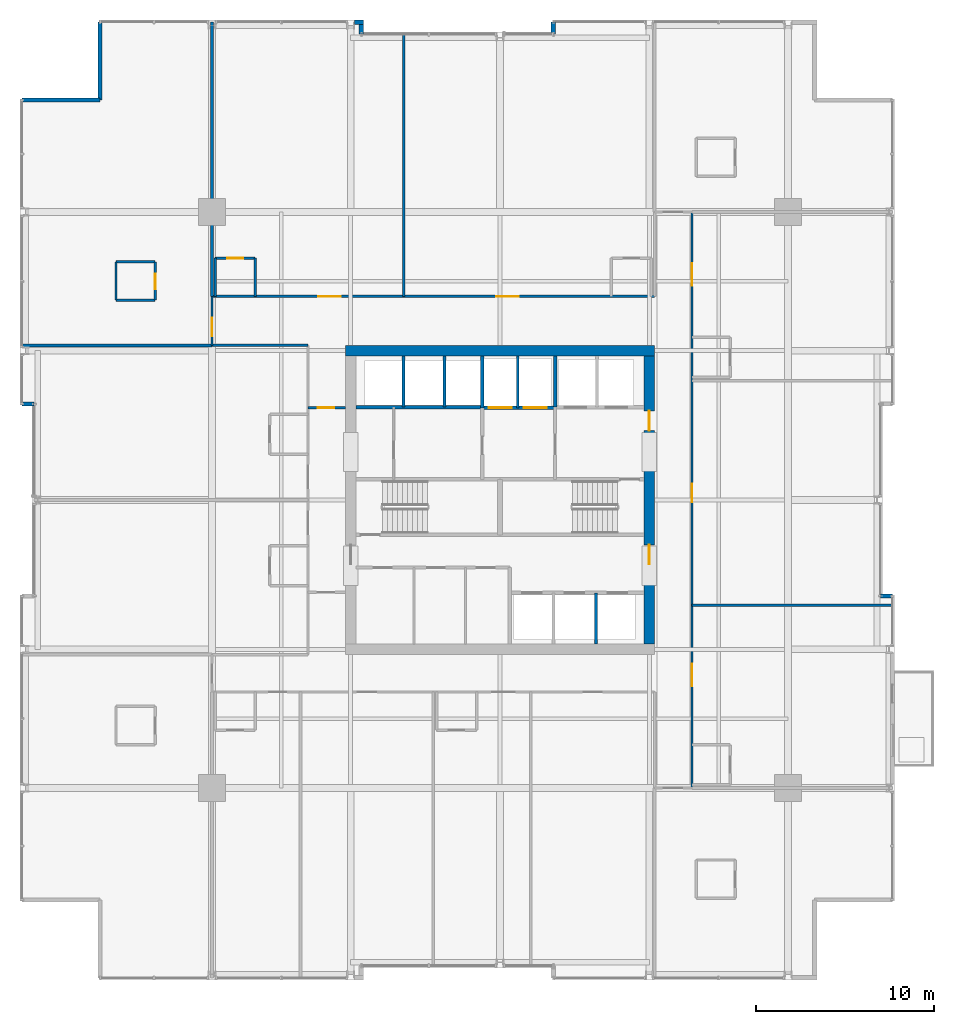
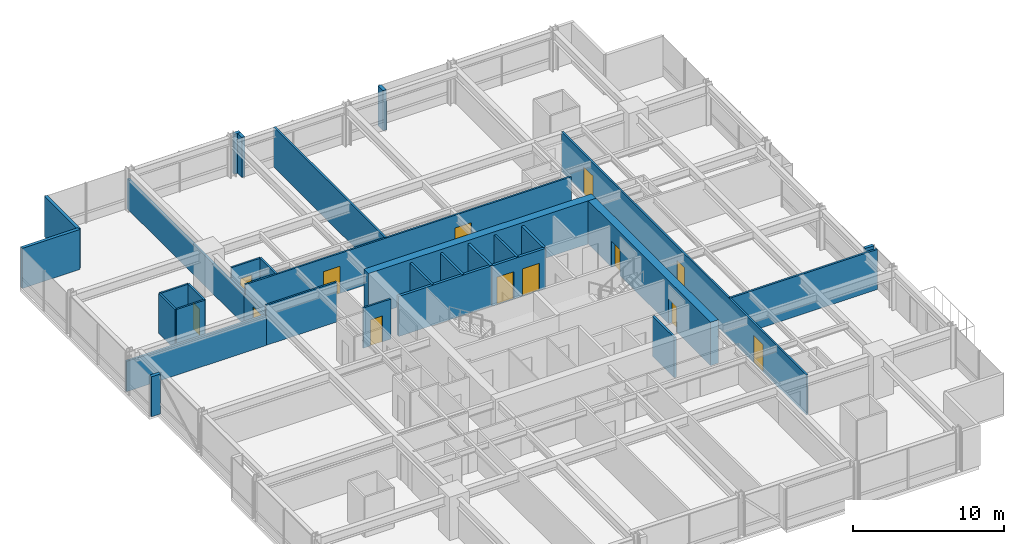
# One storey, part 30 of 34: 33 walls, 13 doors, 13 openings.
"""IFC4 building model written with IfcOpenShell, lengths in metres."""

from ifc_helpers import new_model, si_unit, direction, frame, frame_2d, origin, place, context, subcontext, project, spatial, rectangle, extrude, material, layer, layer_set, type_object, element, fill, save


model = new_model("IFC4")

# Units and contexts
model_context = context("Model", 3, precision=1e-05, world=origin(), true_north=direction((0.0, 1.0)))
body_context = subcontext(model_context, "Body", "Model", "MODEL_VIEW")
ifc_project = project(units=[si_unit("LENGTHUNIT", "METRE"), si_unit("AREAUNIT", "SQUARE_METRE"), si_unit("VOLUMEUNIT", "CUBIC_METRE"), si_unit("PLANEANGLEUNIT", "RADIAN"), si_unit("MASSUNIT", "GRAM", prefix="KILO")], contexts=[model_context])

# Site, building, storey
site_placement = place(None, origin())
site = spatial("IfcSite", under=ifc_project, at=site_placement, CompositionType="ELEMENT")
building_placement = place(site_placement, origin())
building = spatial("IfcBuilding", under=site, at=building_placement, Name="Drelvath Grand Hotel", CompositionType="ELEMENT")
storey_placement = place(building_placement, frame((0.0, 0.0, 116.300048828125)))
storey = spatial("IfcBuildingStorey", under=building, at=storey_placement, Name="L29", CompositionType="ELEMENT", Elevation=116.300048828125)

# Wall
ifc_material_1 = material(Name="Concrete C40/50", Category="concrete")
ifc_layer_1 = layer(ifc_material_1, 0.199951171875)
ifc_layer_set_1 = layer_set([ifc_layer_1], Name="Concrete C40/50")
wall_type_1 = type_object("IfcWallType", Name="Core Hoistway Fire Wall 200", PredefinedType="SOLIDWALL", material=ifc_layer_set_1)
wall_1_placement = place(storey_placement, frame((3.10009765625, 32.219970703125, 0.0), z_axis=(0.0, 0.0, 1.0), x_axis=(0.0, 1.0, 0.0)))
element("IfcWall", 1, at=wall_1_placement, inside=storey, type_object=wall_type_1, Name="L29 FSAE Hoistway West Wall", PredefinedType="SOLIDWALL", context=body_context, shape_type="SweptSolid", body=[
    extrude(rectangle(XDim=2.880126953125, YDim=0.199951171875, at=frame_2d((1.43994140625, 0.0))), origin(), (0.0, 0.0, 1.0), 3.239990234375),
])

# Wall, openings, doors
wall_2_placement = place(storey_placement, frame((-1.0, 32.179931640625, 0.0), z_axis=(0.0, 0.0, 1.0), x_axis=(1.0, 0.0, 0.0)))
wall_2 = element("IfcWall", 2, at=wall_2_placement, inside=storey, type_object=wall_type_1, Name="L29 Service Lift Hoistway Wall", PredefinedType="SOLIDWALL", context=body_context, shape_type="SweptSolid", body=[
    extrude(rectangle(XDim=4.10009765625, YDim=0.199951171875, at=frame_2d((2.050048828125, 0.0))), origin(), (0.0, 0.0, 1.0), 3.239990234375),
])
opening_1_placement = place(wall_2_placement, frame((0.3701171875, 0.0, 0.0)))
opening_1 = element("IfcOpeningElement", 3, at=opening_1_placement, cuts=wall_2, Name="Opening LD-SV-2", PredefinedType="OPENING", context=body_context, shape_type="SweptSolid", body=[
    extrude(rectangle(XDim=1.300048828125, YDim=2.199951171875, at=frame_2d((0.64990234375, 1.10009765625))), frame((0.0, 0.10986328125, 0.0), z_axis=(0.0, -1.0, 0.0), x_axis=(1.0, 0.0, 0.0)), (0.0, 0.0, 1.0), 0.219970703125),
])
opening_2_placement = place(wall_2_placement, frame((2.330078125, 0.0, 0.0)))
opening_2 = element("IfcOpeningElement", 4, at=opening_2_placement, cuts=wall_2, Name="Opening LD-SV-1", PredefinedType="OPENING", context=body_context, shape_type="SweptSolid", body=[
    extrude(rectangle(XDim=1.300048828125, YDim=2.199951171875, at=frame_2d((0.64990234375, 1.10009765625))), frame((0.0, 0.10986328125, 0.0), z_axis=(0.0, -1.0, 0.0), x_axis=(1.0, 0.0, 0.0)), (0.0, 0.0, 1.0), 0.219970703125),
])
ifc_material_2 = material(Name="Stainless Steel S355", Category="steel")
door_type_1 = type_object("IfcDoorType", Name="Service Lift Sliding Landing Door 1300x2200", OperationType="NOTDEFINED", PredefinedType="DOOR", material=ifc_material_2)
door_1_placement = place(opening_1_placement, origin())
door_1 = element("IfcDoor", 5, at=door_1_placement, inside=storey, type_object=door_type_1, Name="L29 Lift SV-2 Landing Door", OperationType="SLIDING_TO_LEFT", OverallHeight=2.199951171875, OverallWidth=1.300048828125, PredefinedType="DOOR", context=body_context, shape_type="SweptSolid", body=[
    extrude(rectangle(XDim=1.300048828125, YDim=2.199951171875, at=frame_2d((0.64990234375, 1.10009765625))), frame((0.0, 0.02490234375, 0.0), z_axis=(0.0, -1.0, 0.0), x_axis=(1.0, 0.0, 0.0)), (0.0, 0.0, 1.0), 0.050048828125),
])
fill(opening_1, door_1)
door_2_placement = place(opening_2_placement, origin())
door_2 = element("IfcDoor", 6, at=door_2_placement, inside=storey, type_object=door_type_1, Name="L29 Lift SV-1 Landing Door", OperationType="SLIDING_TO_LEFT", OverallHeight=2.199951171875, OverallWidth=1.300048828125, PredefinedType="DOOR", context=body_context, shape_type="SweptSolid", body=[
    extrude(rectangle(XDim=1.300048828125, YDim=2.199951171875, at=frame_2d((0.64990234375, 1.10009765625))), frame((0.0, 0.02490234375, 0.0), z_axis=(0.0, -1.0, 0.0), x_axis=(1.0, 0.0, 0.0)), (0.0, 0.0, 1.0), 0.050048828125),
])
fill(opening_2, door_2)

# Walls
wall_3_placement = place(storey_placement, frame((-1.0, 32.179931640625, 0.0), z_axis=(0.0, 0.0, 1.0), x_axis=(0.0, 1.0, 0.0)))
element("IfcWall", 7, at=wall_3_placement, inside=storey, type_object=wall_type_1, Name="L29 Service Lift West Wall", PredefinedType="SOLIDWALL", context=body_context, shape_type="SweptSolid", body=[
    extrude(rectangle(XDim=2.920166015625, YDim=0.199951171875, at=frame_2d((1.4599609375, 0.0))), origin(), (0.0, 0.0, 1.0), 3.239990234375),
])
wall_4_placement = place(storey_placement, frame((-8.10009765625, 32.219970703125, 0.0), z_axis=(0.0, 0.0, 1.0), x_axis=(1.0, 0.0, 0.0)))
element("IfcWall", 8, at=wall_4_placement, inside=storey, type_object=wall_type_1, Name="L29 Bank 3 Hoistway Wall", PredefinedType="SOLIDWALL", context=body_context, shape_type="SweptSolid", body=[
    extrude(rectangle(XDim=7.10009765625, YDim=0.199951171875, at=frame_2d((3.550048828125, 0.0))), origin(), (0.0, 0.0, 1.0), 3.239990234375),
])
ifc_material_3 = material(Name="Gypsum Fireboard Partition")
ifc_layer_2 = layer(ifc_material_3, 0.1650390625)
ifc_layer_set_2 = layer_set([ifc_layer_2], Name="Gypsum Fireboard Partition")
wall_type_2 = type_object("IfcWallType", Name="Core Shaft Partition 165", PredefinedType="PARTITIONING", material=ifc_layer_set_2)
wall_5_placement = place(storey_placement, frame((1.0, 32.179931640625, 0.0), z_axis=(0.0, 0.0, 1.0), x_axis=(0.0, 1.0, 0.0)))
element("IfcWall", 9, at=wall_5_placement, inside=storey, type_object=wall_type_2, Name="L29 Service Lift Divider", PredefinedType="PARTITIONING", context=body_context, shape_type="SweptSolid", body=[
    extrude(rectangle(XDim=2.920166015625, YDim=0.1650390625, at=frame_2d((1.4599609375, 0.0))), origin(), (0.0, 0.0, 1.0), 3.239990234375),
])
for number, where, z_axis, x_axis, name in (
    (10, (-5.43994140625, 32.219970703125, 0.0), (0.0, 0.0, 1.0), (0.0, 1.0, 0.0), "L29 Lift PE-7/8 Divider"),
    (11, (-3.1201171875, 32.219970703125, 0.0), (0.0, 0.0, 1.0), (0.0, 1.0, 0.0), "L29 Lift PE-8/9 Divider"),
    (12, (5.39990234375, 18.89990234375, 0.0), (0.0, 0.0, 1.0), (0.0, 1.0, 0.0), "L29 Lift PE-5/6 Divider"),
):
    element("IfcWall", number, at=place(storey_placement, frame(where, z_axis=z_axis, x_axis=x_axis)), inside=storey, type_object=wall_type_2, Name=name, PredefinedType="PARTITIONING", context=body_context, shape_type="SweptSolid", body=[
        extrude(rectangle(XDim=2.880126953125, YDim=0.1650390625, at=frame_2d((1.43994140625, 0.0))), origin(), (0.0, 0.0, 1.0), 3.239990234375),
    ])

# Wall, opening, door
ifc_layer_3 = layer(ifc_material_3, 0.135009765625)
ifc_layer_set_3 = layer_set([ifc_layer_3], Name="Gypsum Fireboard Partition")
wall_type_3 = type_object("IfcWallType", Name="Corridor Fire Barrier Wall 135", PredefinedType="PARTITIONING", material=ifc_layer_set_3)
wall_6_placement = place(storey_placement, frame((-10.800048828125, 32.199951171875, 0.0), z_axis=(0.0, 0.0, 1.0), x_axis=(1.0, 0.0, 0.0)))
wall_6 = element("IfcWall", 13, at=wall_6_placement, inside=storey, type_object=wall_type_3, Name="L29 West Foyer North Wall", PredefinedType="PARTITIONING", context=body_context, shape_type="SweptSolid", body=[
    extrude(rectangle(XDim=2.10009765625, YDim=0.135009765625, at=frame_2d((1.050048828125, 0.0))), origin(), (0.0, 0.0, 1.0), 3.239990234375),
])
opening_3_placement = place(wall_6_placement, frame((0.550048828125, 0.0, 0.0)))
opening_3 = element("IfcOpeningElement", 14, at=opening_3_placement, cuts=wall_6, Name="Opening D-T2G3-020", PredefinedType="OPENING", context=body_context, shape_type="SweptSolid", body=[
    extrude(rectangle(XDim=0.919921875, YDim=2.10009765625, at=frame_2d((0.4599609375, 1.050048828125))), frame((0.0, 0.077392578125, 0.0), z_axis=(0.0, -1.0, 0.0), x_axis=(1.0, 0.0, 0.0)), (0.0, 0.0, 1.0), 0.155029296875),
])
ifc_material_4 = material(Name="Painted Steel S275", Category="steel")
door_type_2 = type_object("IfcDoorType", Name="Staff Utility Door 920x2100", OperationType="NOTDEFINED", PredefinedType="DOOR", material=ifc_material_4)
door_3_placement = place(opening_3_placement, origin())
door_3 = element("IfcDoor", 15, at=door_3_placement, inside=storey, type_object=door_type_2, Name="L29 West Pantry Door", OperationType="SINGLE_SWING_LEFT", OverallHeight=2.10009765625, OverallWidth=0.919921875, PredefinedType="DOOR", context=body_context, shape_type="SweptSolid", body=[
    extrude(rectangle(XDim=0.919921875, YDim=2.10009765625, at=frame_2d((0.4599609375, 1.050048828125))), frame((0.0, 0.02490234375, 0.0), z_axis=(0.0, -1.0, 0.0), x_axis=(1.0, 0.0, 0.0)), (0.0, 0.0, 1.0), 0.050048828125),
])
fill(opening_3, door_3)

# Wall
wall_7_placement = place(storey_placement, frame((-16.199951171875, 35.699951171875, 0.0), z_axis=(0.0, 0.0, 1.0), x_axis=(1.0, 0.0, 0.0)))
element("IfcWall", 16, at=wall_7_placement, inside=storey, type_object=wall_type_3, Name="L29 NW Stub South Wall", PredefinedType="PARTITIONING", context=body_context, shape_type="SweptSolid", body=[
    extrude(rectangle(XDim=5.39990234375, YDim=0.135009765625, at=frame_2d((2.699951171875, 0.0))), origin(), (0.0, 0.0, 1.0), 3.239990234375),
])

# Wall, openings, doors
wall_8_placement = place(storey_placement, frame((-16.199951171875, 38.449951171875, 0.0), z_axis=(0.0, 0.0, 1.0), x_axis=(1.0, 0.0, 0.0)))
wall_8 = element("IfcWall", 17, at=wall_8_placement, inside=storey, type_object=wall_type_3, Name="L29 North Stub Corridor Wall", PredefinedType="PARTITIONING", context=body_context, shape_type="SweptSolid", body=[
    extrude(rectangle(XDim=24.89990234375, YDim=0.135009765625, at=frame_2d((12.449951171875, 0.0))), origin(), (0.0, 0.0, 1.0), 3.239990234375),
])
opening_4_placement = place(wall_8_placement, frame((5.97998046875, 0.0, 0.0)))
opening_4 = element("IfcOpeningElement", 18, at=opening_4_placement, cuts=wall_8, Name="Opening D-T2G3-036", PredefinedType="OPENING", context=body_context, shape_type="SweptSolid", body=[
    extrude(rectangle(XDim=1.260009765625, YDim=2.199951171875, at=frame_2d((0.6298828125, 1.10009765625))), frame((0.0, 0.077392578125, 0.0), z_axis=(0.0, -1.0, 0.0), x_axis=(1.0, 0.0, 0.0)), (0.0, 0.0, 1.0), 0.155029296875),
])
opening_5_placement = place(wall_8_placement, frame((16.0, 0.0, 0.0)))
opening_5 = element("IfcOpeningElement", 19, at=opening_5_placement, cuts=wall_8, Name="Opening D-T2G3-038", PredefinedType="OPENING", context=body_context, shape_type="SweptSolid", body=[
    extrude(rectangle(XDim=1.260009765625, YDim=2.199951171875, at=frame_2d((0.6298828125, 1.10009765625))), frame((0.0, 0.077392578125, 0.0), z_axis=(0.0, -1.0, 0.0), x_axis=(1.0, 0.0, 0.0)), (0.0, 0.0, 1.0), 0.155029296875),
])
ifc_material_5 = material(Name="Hardwood Walnut Timber", Category="wood")
door_type_3 = type_object("IfcDoorType", Name="Suite Entrance Fire Door 1260x2200", OperationType="NOTDEFINED", PredefinedType="DOOR", material=ifc_material_5)
door_4_placement = place(opening_4_placement, origin())
door_4 = element("IfcDoor", 20, at=door_4_placement, inside=storey, type_object=door_type_3, Name="L29 Corner Suite Entry Door", OperationType="SINGLE_SWING_LEFT", OverallHeight=2.199951171875, OverallWidth=1.260009765625, PredefinedType="DOOR", context=body_context, shape_type="SweptSolid", body=[
    extrude(rectangle(XDim=1.260009765625, YDim=2.199951171875, at=frame_2d((0.6298828125, 1.10009765625))), frame((0.0, 0.02490234375, 0.0), z_axis=(0.0, -1.0, 0.0), x_axis=(1.0, 0.0, 0.0)), (0.0, 0.0, 1.0), 0.050048828125),
])
fill(opening_4, door_4)
door_5_placement = place(opening_5_placement, origin())
door_5 = element("IfcDoor", 21, at=door_5_placement, inside=storey, type_object=door_type_3, Name="L29 Corner Suite Entry Door", OperationType="SINGLE_SWING_LEFT", OverallHeight=2.199951171875, OverallWidth=1.260009765625, PredefinedType="DOOR", context=body_context, shape_type="SweptSolid", body=[
    extrude(rectangle(XDim=1.260009765625, YDim=2.199951171875, at=frame_2d((0.6298828125, 1.10009765625))), frame((0.0, 0.02490234375, 0.0), z_axis=(0.0, -1.0, 0.0), x_axis=(1.0, 0.0, 0.0)), (0.0, 0.0, 1.0), 0.050048828125),
])
fill(opening_5, door_5)

wall_9_placement = place(storey_placement, frame((10.800048828125, 10.800048828125, 0.0), z_axis=(0.0, 0.0, 1.0), x_axis=(0.0, 1.0, 0.0)))
wall_9 = element("IfcWall", 22, at=wall_9_placement, inside=storey, type_object=wall_type_3, Name="L29 East Spine Corridor Wall", PredefinedType="PARTITIONING", context=body_context, shape_type="SweptSolid", body=[
    extrude(rectangle(XDim=32.39990234375, YDim=0.135009765625, at=frame_2d((16.199951171875, 0.0))), origin(), (0.0, 0.0, 1.0), 3.239990234375),
])
opening_6_placement = place(wall_9_placement, frame((5.7216796875, 0.0, 0.0)))
opening_6 = element("IfcOpeningElement", 23, at=opening_6_placement, cuts=wall_9, Name="Opening D-T2G3-040", PredefinedType="OPENING", context=body_context, shape_type="SweptSolid", body=[
    extrude(rectangle(XDim=1.260009765625, YDim=2.199951171875, at=frame_2d((0.6298828125, 1.10009765625))), frame((0.0, 0.077392578125, 0.0), z_axis=(0.0, -1.0, 0.0), x_axis=(1.0, 0.0, 0.0)), (0.0, 0.0, 1.0), 0.155029296875),
])
opening_7_placement = place(wall_9_placement, frame((16.085205078125, 0.0, 0.0)))
opening_7 = element("IfcOpeningElement", 24, at=opening_7_placement, cuts=wall_9, Name="Opening D-T2G3-041", PredefinedType="OPENING", context=body_context, shape_type="SweptSolid", body=[
    extrude(rectangle(XDim=1.02001953125, YDim=2.14990234375, at=frame_2d((0.510009765625, 1.074951171875))), frame((0.0, 0.077392578125, 0.0), z_axis=(0.0, -1.0, 0.0), x_axis=(1.0, 0.0, 0.0)), (0.0, 0.0, 1.0), 0.155029296875),
])
opening_8_placement = place(wall_9_placement, frame((28.24365234375, 0.0, 0.0)))
opening_8 = element("IfcOpeningElement", 25, at=opening_8_placement, cuts=wall_9, Name="Opening D-T2G3-043", PredefinedType="OPENING", context=body_context, shape_type="SweptSolid", body=[
    extrude(rectangle(XDim=1.260009765625, YDim=2.199951171875, at=frame_2d((0.6298828125, 1.10009765625))), frame((0.0, 0.077392578125, 0.0), z_axis=(0.0, -1.0, 0.0), x_axis=(1.0, 0.0, 0.0)), (0.0, 0.0, 1.0), 0.155029296875),
])
door_type_4 = type_object("IfcDoorType", Name="Amenity Meeting Fire Door 1020x2150", OperationType="NOTDEFINED", PredefinedType="DOOR", material=ifc_material_5)
door_6_placement = place(opening_7_placement, origin())
door_6 = element("IfcDoor", 26, at=door_6_placement, inside=storey, type_object=door_type_4, Name="L29 Floor Concierge Office Entry Door", OperationType="SINGLE_SWING_RIGHT", OverallHeight=2.14990234375, OverallWidth=1.02001953125, PredefinedType="DOOR", context=body_context, shape_type="SweptSolid", body=[
    extrude(rectangle(XDim=1.02001953125, YDim=2.14990234375, at=frame_2d((0.510009765625, 1.074951171875))), frame((0.0, 0.02490234375, 0.0), z_axis=(0.0, -1.0, 0.0), x_axis=(1.0, 0.0, 0.0)), (0.0, 0.0, 1.0), 0.050048828125),
])
fill(opening_7, door_6)
door_7_placement = place(opening_6_placement, origin())
door_7 = element("IfcDoor", 27, at=door_7_placement, inside=storey, type_object=door_type_3, Name="L29 Corner Suite Entry Door", OperationType="SINGLE_SWING_LEFT", OverallHeight=2.199951171875, OverallWidth=1.260009765625, PredefinedType="DOOR", context=body_context, shape_type="SweptSolid", body=[
    extrude(rectangle(XDim=1.260009765625, YDim=2.199951171875, at=frame_2d((0.6298828125, 1.10009765625))), frame((0.0, 0.02490234375, 0.0), z_axis=(0.0, -1.0, 0.0), x_axis=(1.0, 0.0, 0.0)), (0.0, 0.0, 1.0), 0.050048828125),
])
fill(opening_6, door_7)
door_8_placement = place(opening_8_placement, origin())
door_8 = element("IfcDoor", 28, at=door_8_placement, inside=storey, type_object=door_type_3, Name="L29 Corner Suite Entry Door", OperationType="SINGLE_SWING_RIGHT", OverallHeight=2.199951171875, OverallWidth=1.260009765625, PredefinedType="DOOR", context=body_context, shape_type="SweptSolid", body=[
    extrude(rectangle(XDim=1.260009765625, YDim=2.199951171875, at=frame_2d((0.6298828125, 1.10009765625))), frame((0.0, 0.02490234375, 0.0), z_axis=(0.0, -1.0, 0.0), x_axis=(1.0, 0.0, 0.0)), (0.0, 0.0, 1.0), 0.050048828125),
])
fill(opening_8, door_8)

# Wall, opening, door
wall_10_placement = place(storey_placement, frame((-16.199951171875, 35.699951171875, 0.0), z_axis=(0.0, 0.0, 1.0), x_axis=(0.0, 1.0, 0.0)))
wall_10 = element("IfcWall", 29, at=wall_10_placement, inside=storey, type_object=wall_type_3, Name="L29 North Stub West End", PredefinedType="PARTITIONING", context=body_context, shape_type="SweptSolid", body=[
    extrude(rectangle(XDim=2.75, YDim=0.135009765625, at=frame_2d((1.375, 0.0))), origin(), (0.0, 0.0, 1.0), 2.45166015625),
])
opening_9_placement = place(wall_10_placement, frame((0.52001953125, 0.0, 0.0)))
opening_9 = element("IfcOpeningElement", 30, at=opening_9_placement, cuts=wall_10, Name="Opening D-T2G3-024", PredefinedType="OPENING", context=body_context, shape_type="SweptSolid", body=[
    extrude(rectangle(XDim=1.02001953125, YDim=2.14990234375, at=frame_2d((0.510009765625, 1.074951171875))), frame((0.0, 0.077392578125, 0.0), z_axis=(0.0, -1.0, 0.0), x_axis=(1.0, 0.0, 0.0)), (0.0, 0.0, 1.0), 0.155029296875),
])
door_9_placement = place(opening_9_placement, origin())
door_9 = element("IfcDoor", 31, at=door_9_placement, inside=storey, type_object=door_type_4, Name="L29 Corner Suite Entry Door", OperationType="SINGLE_SWING_LEFT", OverallHeight=2.14990234375, OverallWidth=1.02001953125, PredefinedType="DOOR", context=body_context, shape_type="SweptSolid", body=[
    extrude(rectangle(XDim=1.02001953125, YDim=2.14990234375, at=frame_2d((0.510009765625, 1.074951171875))), frame((0.0, 0.02490234375, 0.0), z_axis=(0.0, -1.0, 0.0), x_axis=(1.0, 0.0, 0.0)), (0.0, 0.0, 1.0), 0.050048828125),
])
fill(opening_9, door_9)

# Walls
ifc_material_6 = material(Name="Moisture-Resistant Gypsum Board")
ifc_layer_4 = layer(ifc_material_6, 0.139892578125)
ifc_layer_set_4 = layer_set([ifc_layer_4], Name="Moisture-Resistant Gypsum Board")
wall_type_4 = type_object("IfcWallType", Name="En-Suite Plumbing Wall 140", PredefinedType="PLUMBINGWALL", material=ifc_layer_set_4)
for number, where, z_axis, x_axis, name in (
    (32, (-21.60009765625, 38.239990234375, 0.0), (0.0, 0.0, 1.0), (1.0, 0.0, 0.0), "L29 Corner En-Suite South"),
    (33, (-21.60009765625, 40.389892578125, 0.0), (0.0, 0.0, 1.0), (1.0, 0.0, 0.0), "L29 Corner En-Suite North"),
):
    element("IfcWall", number, at=place(storey_placement, frame(where, z_axis=z_axis, x_axis=x_axis)), inside=storey, type_object=wall_type_4, Name=name, PredefinedType="PLUMBINGWALL", context=body_context, shape_type="SweptSolid", body=[
        extrude(rectangle(XDim=2.2001953125, YDim=0.139892578125, at=frame_2d((1.10009765625, 0.0))), origin(), (0.0, 0.0, 1.0), 3.239990234375),
    ])
wall_11_placement = place(storey_placement, frame((-21.60009765625, 38.239990234375, 0.0), z_axis=(0.0, 0.0, 1.0), x_axis=(0.0, 1.0, 0.0)))
element("IfcWall", 34, at=wall_11_placement, inside=storey, type_object=wall_type_4, Name="L29 Corner En-Suite West", PredefinedType="PLUMBINGWALL", context=body_context, shape_type="SweptSolid", body=[
    extrude(rectangle(XDim=2.14990234375, YDim=0.139892578125, at=frame_2d((1.074951171875, 0.0))), origin(), (0.0, 0.0, 1.0), 3.239990234375),
])

# Wall, opening, door
wall_12_placement = place(storey_placement, frame((-19.39990234375, 38.239990234375, 0.0), z_axis=(0.0, 0.0, 1.0), x_axis=(0.0, 1.0, 0.0)))
wall_12 = element("IfcWall", 35, at=wall_12_placement, inside=storey, type_object=wall_type_4, Name="L29 Corner En-Suite East", PredefinedType="PLUMBINGWALL", context=body_context, shape_type="SweptSolid", body=[
    extrude(rectangle(XDim=2.14990234375, YDim=0.139892578125, at=frame_2d((1.074951171875, 0.0))), origin(), (0.0, 0.0, 1.0), 3.239990234375),
])
opening_10_placement = place(wall_12_placement, frame((0.6201171875, 0.0, 0.0)))
opening_10 = element("IfcOpeningElement", 36, at=opening_10_placement, cuts=wall_12, Name="Opening D-T2G3-023", PredefinedType="OPENING", context=body_context, shape_type="SweptSolid", body=[
    extrude(rectangle(XDim=0.8798828125, YDim=2.10009765625, at=frame_2d((0.43994140625, 1.050048828125))), frame((0.0, 0.079833984375, 0.0), z_axis=(0.0, -1.0, 0.0), x_axis=(1.0, 0.0, 0.0)), (0.0, 0.0, 1.0), 0.159912109375),
])
door_type_5 = type_object("IfcDoorType", Name="En-Suite Bathroom Door 880x2100", OperationType="NOTDEFINED", PredefinedType="DOOR", material=ifc_material_5)
door_10_placement = place(opening_10_placement, origin())
door_10 = element("IfcDoor", 37, at=door_10_placement, inside=storey, type_object=door_type_5, Name="L29 Corner En-Suite Door", OperationType="SINGLE_SWING_RIGHT", OverallHeight=2.10009765625, OverallWidth=0.8798828125, PredefinedType="DOOR", context=body_context, shape_type="SweptSolid", body=[
    extrude(rectangle(XDim=0.8798828125, YDim=2.10009765625, at=frame_2d((0.43994140625, 1.050048828125))), frame((0.0, 0.02490234375, 0.0), z_axis=(0.0, -1.0, 0.0), x_axis=(1.0, 0.0, 0.0)), (0.0, 0.0, 1.0), 0.050048828125),
])
fill(opening_10, door_10)

# Walls
wall_13_placement = place(storey_placement, frame((-16.02001953125, 38.449951171875, 0.0), z_axis=(0.0, 0.0, 1.0), x_axis=(0.0, 1.0, 0.0)))
element("IfcWall", 38, at=wall_13_placement, inside=storey, type_object=wall_type_4, Name="L29 En-Suite Left Wall", PredefinedType="PLUMBINGWALL", context=body_context, shape_type="SweptSolid", body=[
    extrude(rectangle(XDim=2.150146484375, YDim=0.139892578125, at=frame_2d((1.0751953125, 0.0))), origin(), (0.0, 0.0, 1.0), 2.45166015625),
])
wall_14_placement = place(storey_placement, frame((-13.77001953125, 38.449951171875, 0.0), z_axis=(0.0, 0.0, 1.0), x_axis=(0.0, 1.0, 0.0)))
element("IfcWall", 39, at=wall_14_placement, inside=storey, type_object=wall_type_4, Name="L29 En-Suite Right Wall", PredefinedType="PLUMBINGWALL", context=body_context, shape_type="SweptSolid", body=[
    extrude(rectangle(XDim=2.150146484375, YDim=0.139892578125, at=frame_2d((1.0751953125, 0.0))), origin(), (0.0, 0.0, 1.0), 3.239990234375),
])

# Wall, opening, door
wall_15_placement = place(storey_placement, frame((-16.02001953125, 40.60009765625, 0.0), z_axis=(0.0, 0.0, 1.0), x_axis=(1.0, 0.0, 0.0)))
wall_15 = element("IfcWall", 40, at=wall_15_placement, inside=storey, type_object=wall_type_4, Name="L29 En-Suite Front Wall", PredefinedType="PLUMBINGWALL", context=body_context, shape_type="SweptSolid", body=[
    extrude(rectangle(XDim=2.25, YDim=0.139892578125, at=frame_2d((1.125, 0.0))), origin(), (0.0, 0.0, 1.0), 3.239990234375),
])
opening_11_placement = place(wall_15_placement, frame((0.68505859375, 0.0, 0.0)))
opening_11 = element("IfcOpeningElement", 41, at=opening_11_placement, cuts=wall_15, Name="Opening D-T2G3-035", PredefinedType="OPENING", context=body_context, shape_type="SweptSolid", body=[
    extrude(rectangle(XDim=0.8798828125, YDim=2.10009765625, at=frame_2d((0.43994140625, 1.050048828125))), frame((0.0, 0.079833984375, 0.0), z_axis=(0.0, -1.0, 0.0), x_axis=(1.0, 0.0, 0.0)), (0.0, 0.0, 1.0), 0.159912109375),
])
door_11_placement = place(opening_11_placement, origin())
door_11 = element("IfcDoor", 42, at=door_11_placement, inside=storey, type_object=door_type_5, Name="L29 En-Suite Bathroom Door", OperationType="SINGLE_SWING_RIGHT", OverallHeight=2.10009765625, OverallWidth=0.8798828125, PredefinedType="DOOR", context=body_context, shape_type="SweptSolid", body=[
    extrude(rectangle(XDim=0.8798828125, YDim=2.10009765625, at=frame_2d((0.43994140625, 1.050048828125))), frame((0.0, 0.02490234375, 0.0), z_axis=(0.0, -1.0, 0.0), x_axis=(1.0, 0.0, 0.0)), (0.0, 0.0, 1.0), 0.050048828125),
])
fill(opening_11, door_11)

# Walls
ifc_material_7 = material(Name="Gypsum Acoustic Partition")
ifc_layer_5 = layer(ifc_material_7, 0.14990234375)
ifc_layer_set_5 = layer_set([ifc_layer_5], Name="Gypsum Acoustic Partition")
wall_type_5 = type_object("IfcWallType", Name="Guestroom Demising Wall 150", PredefinedType="PARTITIONING", material=ifc_layer_set_5)
wall_16_placement = place(storey_placement, frame((-5.409912109375, 38.449951171875, 0.0), z_axis=(0.0, 0.0, 1.0), x_axis=(0.0, 1.0, 0.0)))
element("IfcWall", 43, at=wall_16_placement, inside=storey, type_object=wall_type_5, Name="L29 North Demising 1", PredefinedType="PARTITIONING", context=body_context, shape_type="SweptSolid", body=[
    extrude(rectangle(XDim=14.75, YDim=0.14990234375, at=frame_2d((7.375, 0.0))), origin(), (0.0, 0.0, 1.0), 3.239990234375),
])
wall_17_placement = place(storey_placement, frame((10.800048828125, 21.0732421875, 0.0), z_axis=(0.0, 0.0, 1.0), x_axis=(1.0, 0.0, 0.0)))
element("IfcWall", 44, at=wall_17_placement, inside=storey, type_object=wall_type_5, Name="L29 East Demising 1", PredefinedType="PARTITIONING", context=body_context, shape_type="SweptSolid", body=[
    extrude(rectangle(XDim=11.280029296875, YDim=0.14990234375, at=frame_2d((5.64013671875, 0.0))), origin(), (0.0, 0.0, 1.0), 3.239990234375),
])
ifc_material_8 = material(Name="Concrete f'c 70 MPa", Category="concrete")
ifc_layer_6 = layer(ifc_material_8, 0.60009765625)
ifc_layer_set_6 = layer_set([ifc_layer_6], Name="Concrete f'c 70 MPa")
wall_type_6 = type_object("IfcWallType", Name="Lower Core RC Shear Wall 600", PredefinedType="SHEAR", material=ifc_layer_set_6)
wall_18_placement = place(storey_placement, frame((-8.699951171875, 35.39990234375, 0.0), z_axis=(0.0, 0.0, 1.0), x_axis=(1.0, 0.0, 0.0)))
element("IfcWall", 45, at=wall_18_placement, inside=storey, type_object=wall_type_6, Name="L29 Central Core Shear Wall N", PredefinedType="SHEAR", context=body_context, shape_type="SweptSolid", body=[
    extrude(rectangle(XDim=17.39990234375, YDim=0.60009765625, at=frame_2d((8.699951171875, 0.0))), origin(), (0.0, 0.0, 1.0), 3.5),
])

# Wall, openings, doors
wall_19_placement = place(storey_placement, frame((8.39990234375, 35.10009765625, 0.0), z_axis=(0.0, 0.0, 1.0), x_axis=(0.0, -1.0, 0.0)))
wall_19 = element("IfcWall", 46, at=wall_19_placement, inside=storey, type_object=wall_type_6, Name="L29 Central Core Shear Wall E", PredefinedType="SHEAR", context=body_context, shape_type="SweptSolid", body=[
    extrude(rectangle(XDim=16.2001953125, YDim=0.60009765625, at=frame_2d((8.10009765625, 0.0))), origin(), (0.0, 0.0, 1.0), 3.5),
])
opening_12_placement = place(wall_19_placement, frame((3.080078125, 0.0, 0.0)))
opening_12 = element("IfcOpeningElement", 47, at=opening_12_placement, cuts=wall_19, Name="Opening D-T2G3-006", PredefinedType="OPENING", context=body_context, shape_type="SweptSolid", body=[
    extrude(rectangle(XDim=1.1201171875, YDim=2.10009765625, at=frame_2d((0.56005859375, 1.050048828125))), frame((0.0, 0.31005859375, 0.0), z_axis=(0.0, -1.0, 0.0), x_axis=(1.0, 0.0, 0.0)), (0.0, 0.0, 1.0), 0.6201171875),
])
opening_13_placement = place(wall_19_placement, frame((10.6201171875, 0.0, 0.0)))
opening_13 = element("IfcOpeningElement", 48, at=opening_13_placement, cuts=wall_19, Name="Opening D-T2G3-015", PredefinedType="OPENING", context=body_context, shape_type="SweptSolid", body=[
    extrude(rectangle(XDim=1.080078125, YDim=2.0400390625, at=frame_2d((0.5400390625, 1.02001953125))), frame((0.0, 0.31005859375, 0.0), z_axis=(0.0, -1.0, 0.0), x_axis=(1.0, 0.0, 0.0)), (0.0, 0.0, 1.0), 0.6201171875),
])
door_type_6 = type_object("IfcDoorType", Name="Core Corridor Fire Door 1080x2100", OperationType="NOTDEFINED", PredefinedType="DOOR", material=ifc_material_4)
door_12_placement = place(opening_13_placement, origin())
door_12 = element("IfcDoor", 49, at=door_12_placement, inside=storey, type_object=door_type_6, Name="L29 Mid-Rise Lobby East Door", OperationType="SINGLE_SWING_RIGHT", OverallHeight=2.0400390625, OverallWidth=1.080078125, PredefinedType="DOOR", context=body_context, shape_type="SweptSolid", body=[
    extrude(rectangle(XDim=1.080078125, YDim=2.0400390625, at=frame_2d((0.5400390625, 1.02001953125))), frame((0.0, 0.02490234375, 0.0), z_axis=(0.0, -1.0, 0.0), x_axis=(1.0, 0.0, 0.0)), (0.0, 0.0, 1.0), 0.050048828125),
])
fill(opening_13, door_12)
door_type_7 = type_object("IfcDoorType", Name="FSAE Smoke Lobby Fire Door 1120x2100", OperationType="NOTDEFINED", PredefinedType="DOOR", material=ifc_material_4)
door_13_placement = place(opening_12_placement, origin())
door_13 = element("IfcDoor", 50, at=door_13_placement, inside=storey, type_object=door_type_7, Name="L29 FSAE Lobby East Corridor Door", OperationType="SINGLE_SWING_LEFT", OverallHeight=2.10009765625, OverallWidth=1.1201171875, PredefinedType="DOOR", context=body_context, shape_type="SweptSolid", body=[
    extrude(rectangle(XDim=1.1201171875, YDim=2.10009765625, at=frame_2d((0.56005859375, 1.050048828125))), frame((0.0, 0.02490234375, 0.0), z_axis=(0.0, -1.0, 0.0), x_axis=(1.0, 0.0, 0.0)), (0.0, 0.0, 1.0), 0.050048828125),
])
fill(opening_12, door_13)

# Walls
ifc_layer_7 = layer(ifc_material_7, 0.1650390625)
ifc_layer_set_7 = layer_set([ifc_layer_7], Name="Gypsum Acoustic Partition")
wall_type_7 = type_object("IfcWallType", Name="Suite Demising Wall 165", PredefinedType="PARTITIONING", material=ifc_layer_set_7)
wall_20_placement = place(storey_placement, frame((-16.199951171875, 38.449951171875, 0.0), z_axis=(0.0, 0.0, 1.0), x_axis=(0.0, 1.0, 0.0)))
element("IfcWall", 51, at=wall_20_placement, inside=storey, type_object=wall_type_7, Name="L29 NW Suite East Wall", PredefinedType="PARTITIONING", context=body_context, shape_type="SweptSolid", body=[
    extrude(rectangle(XDim=15.429931640625, YDim=0.1650390625, at=frame_2d((7.71484375, 0.0))), origin(), (0.0, 0.0, 1.0), 2.45166015625),
])
wall_21_placement = place(storey_placement, frame((-26.8798828125, 35.699951171875, 0.0), z_axis=(0.0, 0.0, 1.0), x_axis=(1.0, 0.0, 0.0)))
element("IfcWall", 52, at=wall_21_placement, inside=storey, type_object=wall_type_7, Name="L29 NW Suite South Wall", PredefinedType="PARTITIONING", context=body_context, shape_type="SweptSolid", body=[
    extrude(rectangle(XDim=10.679931640625, YDim=0.1650390625, at=frame_2d((5.33984375, 0.0))), origin(), (0.0, 0.0, 1.0), 2.45166015625),
])
ifc_material_9 = material(Name="Pale-Metal Insulated Aluminium Spandrel Assembly", Category="aluminium")
ifc_layer_8 = layer(ifc_material_9, 0.239990234375)
ifc_layer_set_8 = layer_set([ifc_layer_8], Name="Pale-Metal Insulated Aluminium Spandrel Assembly")
wall_type_8 = type_object("IfcWallType", Name="Tower Insulated Metal Spandrel Closure Wall 240", PredefinedType="STANDARD", material=ifc_layer_set_8)
wall_22_placement = place(storey_placement, frame((-8.180419921875, 53.8798828125, 0.0), z_axis=(0.0, 0.0, 1.0), x_axis=(1.0, 0.0, 0.0)))
element("IfcWall", 53, at=wall_22_placement, inside=storey, type_object=wall_type_8, Name="L29 Corner Pier Spandrel Wall NW3", PredefinedType="STANDARD", context=body_context, shape_type="SweptSolid", body=[
    extrude(rectangle(XDim=0.50048828125, YDim=0.239990234375, at=frame_2d((0.250244140625, 0.0))), origin(), (0.0, 0.0, 1.0), 3.239990234375),
])
for number, where, z_axis, x_axis, name in (
    (54, (-26.8798828125, 49.5, 0.0), (0.0, 0.0, 1.0), (1.0, 0.0, 0.0), "L29 Notched Corner Return Spandrel Wall CNW1"),
    (55, (-22.5, 49.5, 0.0), (0.0, 0.0, 1.0), (0.0, 1.0, 0.0), "L29 Notched Corner Return Spandrel Wall CNW2"),
):
    element("IfcWall", number, at=place(storey_placement, frame(where, z_axis=z_axis, x_axis=x_axis)), inside=storey, type_object=wall_type_8, Name=name, PredefinedType="STANDARD", context=body_context, shape_type="SweptSolid", body=[
        extrude(rectangle(XDim=4.3798828125, YDim=0.239990234375, at=frame_2d((2.18994140625, 0.0))), origin(), (0.0, 0.0, 1.0), 3.239990234375),
    ])
wall_23_placement = place(storey_placement, frame((-26.199951171875, 32.39990234375, 0.0), z_axis=(0.0, 0.0, 1.0), x_axis=(-1.0, 0.0, 0.0)))
element("IfcWall", 56, at=wall_23_placement, inside=storey, type_object=wall_type_8, Name="L29 Notched Corner Return Spandrel Wall RW2", PredefinedType="STANDARD", context=body_context, shape_type="SweptSolid", body=[
    extrude(rectangle(XDim=0.679931640625, YDim=0.239990234375, at=frame_2d((0.33984375, 0.0))), origin(), (0.0, 0.0, 1.0), 3.239990234375),
])
wall_24_placement = place(storey_placement, frame((21.39990234375, 21.60009765625, 0.0), z_axis=(0.0, 0.0, 1.0), x_axis=(1.0, 0.0, 0.0)))
element("IfcWall", 57, at=wall_24_placement, inside=storey, type_object=wall_type_8, Name="L29 Notched Corner Return Spandrel Wall RE2", PredefinedType="STANDARD", context=body_context, shape_type="SweptSolid", body=[
    extrude(rectangle(XDim=0.68017578125, YDim=0.239990234375, at=frame_2d((0.340087890625, 0.0))), origin(), (0.0, 0.0, 1.0), 3.239990234375),
])
wall_25_placement = place(storey_placement, frame((-7.800048828125, 53.760009765625, 0.0), z_axis=(0.0, 0.0, 1.0), x_axis=(0.0, -1.0, 0.0)))
element("IfcWall", 58, at=wall_25_placement, inside=storey, type_object=wall_type_8, Name="L29 Notched Corner Return Spandrel Wall RN1", PredefinedType="STANDARD", context=body_context, shape_type="SweptSolid", body=[
    extrude(rectangle(XDim=0.56005859375, YDim=0.239990234375, at=frame_2d((0.280029296875, 0.0))), origin(), (0.0, 0.0, 1.0), 3.239990234375),
])
wall_26_placement = place(storey_placement, frame((3.0, 53.199951171875, 0.0), z_axis=(0.0, 0.0, 1.0), x_axis=(0.0, 1.0, 0.0)))
element("IfcWall", 59, at=wall_26_placement, inside=storey, type_object=wall_type_8, Name="L29 Notched Corner Return Spandrel Wall RN2", PredefinedType="STANDARD", context=body_context, shape_type="SweptSolid", body=[
    extrude(rectangle(XDim=0.679931640625, YDim=0.239990234375, at=frame_2d((0.33984375, 0.0))), origin(), (0.0, 0.0, 1.0), 3.239990234375),
])

save(model, "model.ifc")
